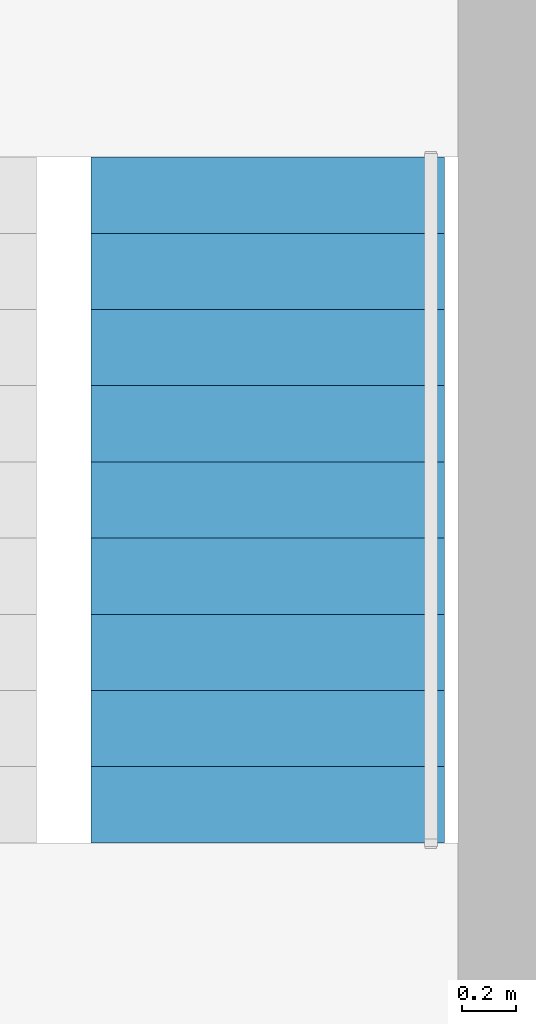
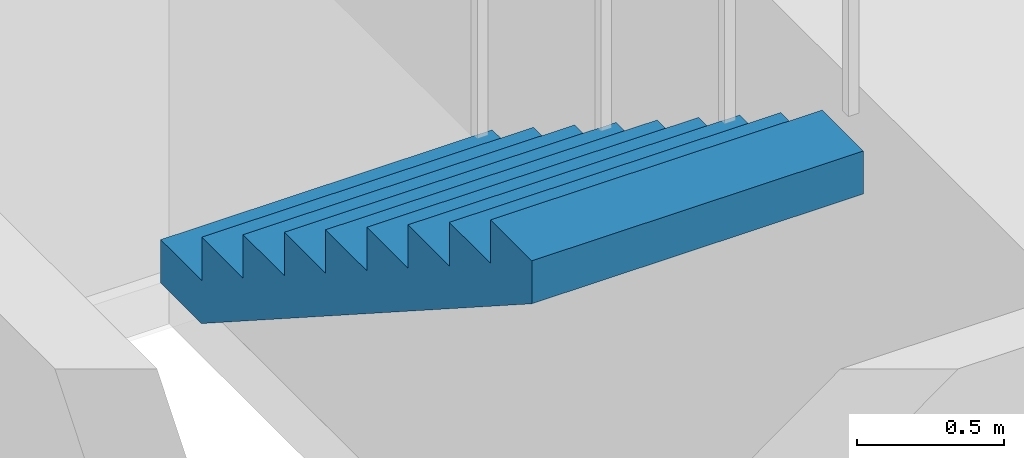
# One storey, part 14 of 15: 1 stair flight, 1 element without a shape of its own.
"""IFC4 building model written with IfcOpenShell, lengths in metres."""

import ifcopenshell
import ifcopenshell.guid

model = None  # the IFC model being written
_history = None  # IfcOwnerHistory: only IFC2X3 demands one
_inside = {}  # id of a spatial element -> (the spatial element, [elements in it])
_under = {}  # id of a project, library or spatial element -> (it, [spatial elements below it])
_declared = {}  # id of a project -> (the project, [libraries it declares])
_typed = {}  # id of a type object -> (the type object, [elements of that type])
_made_of = {}  # id of a material, layer set ... -> (it, [elements and type objects made of it])


def new_model(schema):
    """Start an empty IFC model of exactly this schema.

    Asked for "IFC4X3", IfcOpenShell would pick the latest addendum, in which some entities
    have other attributes; the version numbers below select the first issue.
    IFC2X3 requires an IfcOwnerHistory on every rooted entity: one is made here for all.
    """
    global model, _history
    if schema == "IFC4X3":
        model = ifcopenshell.file(schema_version=(4, 3, 0, 0))
    else:
        model = ifcopenshell.file(schema=schema)
    _inside.clear()
    _under.clear()
    _declared.clear()
    _typed.clear()
    _made_of.clear()
    _history = None
    if model.schema == "IFC2X3":
        org = make("IfcOrganization", Name="unknown")
        user = make(
            "IfcPersonAndOrganization",
            ThePerson=make("IfcPerson", FamilyName="unknown"),
            TheOrganization=org,
        )
        app = make(
            "IfcApplication",
            ApplicationDeveloper=org,
            Version="unknown",
            ApplicationFullName="unknown",
            ApplicationIdentifier="unknown",
        )
        _history = make(
            "IfcOwnerHistory",
            OwningUser=user,
            OwningApplication=app,
            ChangeAction="ADDED",
            CreationDate=0,
        )
    return model


def make(cls, **values):
    """One entity of the class cls with the attributes given. An attribute that is None is left unset."""
    return model.create_entity(
        cls, **{name: value for name, value in values.items() if value is not None}
    )


def rooted(cls, **values):
    """An entity with a GlobalId (a new one), such as an element, a storey or a relation."""
    return make(cls, GlobalId=ifcopenshell.guid.new(), OwnerHistory=_history, **values)


def si_unit(unit_type, name, prefix=None):
    """IfcSIUnit, for example si_unit("LENGTHUNIT", "METRE", prefix="MILLI")."""
    return make("IfcSIUnit", UnitType=unit_type, Prefix=prefix, Name=name)


def assignment(units):
    """IfcUnitAssignment: the units of a project."""
    return None if units is None else make("IfcUnitAssignment", Units=units)


def point(xyz):
    """IfcCartesianPoint."""
    return None if xyz is None else make("IfcCartesianPoint", Coordinates=xyz)


def direction(xyz):
    """IfcDirection."""
    return None if xyz is None else make("IfcDirection", DirectionRatios=xyz)


def frame(location, z_axis=None, x_axis=None):
    """IfcAxis2Placement3D, a coordinate frame: its origin and axes. An axis left out is left unset."""
    return make(
        "IfcAxis2Placement3D",
        Location=point(location),
        Axis=direction(z_axis),
        RefDirection=direction(x_axis),
    )


def origin():
    """The frame at (0, 0, 0) with its axes left unset."""
    return frame((0.0, 0.0, 0.0))


def place(relative_to, where):
    """IfcLocalPlacement: puts the frame where relative to a parent placement (None: the world)."""
    return make(
        "IfcLocalPlacement", PlacementRelTo=relative_to, RelativePlacement=where
    )


def context(
    kind, dimensions, precision=None, world=None, true_north=None, identifier=None
):
    """IfcGeometricRepresentationContext, for example the 3D "Model" context."""
    return make(
        "IfcGeometricRepresentationContext",
        ContextIdentifier=identifier,
        ContextType=kind,
        CoordinateSpaceDimension=dimensions,
        Precision=precision,
        WorldCoordinateSystem=world,
        TrueNorth=true_north,
    )


def subcontext(parent, identifier, kind, view, scale=None):
    """IfcGeometricRepresentationSubContext, for example "Body" below "Model"."""
    return make(
        "IfcGeometricRepresentationSubContext",
        ContextIdentifier=identifier,
        ContextType=kind,
        ParentContext=parent,
        TargetScale=scale,
        TargetView=view,
    )


def project(units=None, contexts=None):
    """IfcProject with its units and contexts."""
    return rooted(
        "IfcProject",
        Name="project",
        RepresentationContexts=contexts,
        UnitsInContext=assignment(units),
    )


def spatial(cls, under=None, at=None, **own):
    """A site, building, storey or space (cls), placed at a placement, below another one or the project."""
    s = rooted(cls, ObjectPlacement=at, **own)
    if under is not None:
        _under.setdefault(under.id(), (under, []))[1].append(s)
    return s


def polyline(points):
    """IfcPolyline through the points."""
    return make("IfcPolyline", Points=[point(p) for p in points])


def outline(outer, holes=None, kind="AREA"):
    """IfcArbitraryClosedProfileDef: a profile drawn as a closed curve; with holes, ...WithVoids."""
    if holes is None:
        return make("IfcArbitraryClosedProfileDef", ProfileType=kind, OuterCurve=outer)
    return make(
        "IfcArbitraryProfileDefWithVoids",
        ProfileType=kind,
        OuterCurve=outer,
        InnerCurves=holes,
    )


def extrude(swept, where, along, depth):
    """IfcExtrudedAreaSolid: the profile swept, set in the frame where, extruded along a direction by depth."""
    return make(
        "IfcExtrudedAreaSolid",
        SweptArea=swept,
        Position=where,
        ExtrudedDirection=direction(along),
        Depth=depth,
    )


def shape(context_of_items, identifier, shape_type, items):
    """IfcShapeRepresentation: the items that make up one representation, for example the "Body"."""
    return make(
        "IfcShapeRepresentation",
        ContextOfItems=context_of_items,
        RepresentationIdentifier=identifier,
        RepresentationType=shape_type,
        Items=items,
    )


def material(Name=None, Category=None):
    """IfcMaterial."""
    return make("IfcMaterial", Name=Name, Category=Category)


def made_of(thing, what):
    """Note that an element or type object is made of a material, layer set ...; save() writes the relation."""
    if what is not None:
        _made_of.setdefault(what.id(), (what, []))[1].append(thing)
    return thing


def type_object(cls, material=None, **own):
    """A type object (cls), such as IfcWallType, which elements share."""
    return made_of(rooted(cls, **own), material)


def element(
    cls,
    number,
    at=None,
    inside=None,
    cuts=None,
    type_object=None,
    material=None,
    context=None,
    identifier="Body",
    shape_type=None,
    held_by="IfcProductDefinitionShape",
    body=None,
    shapes=None,
    **own,
):
    """One element of the class cls, such as IfcWall. Its Tag is "e" and its number.

    at: its placement. inside: the storey or other place that contains it. cuts: it is an
    opening in that element (IfcRelVoidsElement). A single representation is given by context,
    identifier, shape_type and body (its items); several are given by shapes. held_by: the class
    of the entity that holds the representations. save() writes the other relations.
    """
    e = rooted(cls, Tag="e%d" % number, ObjectPlacement=at, **own)
    if body is not None:
        shapes = [shape(context, identifier, shape_type, body)]
    if shapes is not None:
        e.Representation = make(held_by, Representations=shapes)
    if inside is not None:
        _inside.setdefault(inside.id(), (inside, []))[1].append(e)
    if cuts is not None:
        rooted(
            "IfcRelVoidsElement", RelatingBuildingElement=cuts, RelatedOpeningElement=e
        )
    if type_object is not None:
        _typed.setdefault(type_object.id(), (type_object, []))[1].append(e)
    return made_of(e, material)


def aggregate(whole, parts):
    """IfcRelAggregates: a whole, such as a stair, and the parts it consists of."""
    return rooted("IfcRelAggregates", RelatingObject=whole, RelatedObjects=parts)


def save(model, path):
    """Write the relations noted so far, then the file.

    IfcRelAggregates (storeys below a building ...), IfcRelContainedInSpatialStructure (elements
    in a storey), IfcRelDefinesByType, IfcRelAssociatesMaterial and IfcRelDeclares: one each for
    every whole, place, type object, material and project.
    """
    for whole, parts in _under.values():
        aggregate(whole, parts)
    for where, things in _inside.values():
        rooted(
            "IfcRelContainedInSpatialStructure",
            RelatedElements=things,
            RelatingStructure=where,
        )
    for kind, things in _typed.values():
        rooted("IfcRelDefinesByType", RelatedObjects=things, RelatingType=kind)
    for what, things in _made_of.values():
        rooted("IfcRelAssociatesMaterial", RelatedObjects=things, RelatingMaterial=what)
    for by, libraries in _declared.values():
        rooted("IfcRelDeclares", RelatingContext=by, RelatedDefinitions=libraries)
    model.write(path)


model = new_model("IFC4")

# Units and contexts
model_context = context("Model", 3, precision=1e-05, world=origin(), true_north=direction((0.0, 1.0)))
body_context = subcontext(model_context, "Body", "Model", "MODEL_VIEW")
ifc_project = project(units=[si_unit("LENGTHUNIT", "METRE"), si_unit("AREAUNIT", "SQUARE_METRE"), si_unit("VOLUMEUNIT", "CUBIC_METRE"), si_unit("PLANEANGLEUNIT", "RADIAN"), si_unit("MASSUNIT", "GRAM", prefix="KILO")], contexts=[model_context])

# Site, building, storey
site_placement = place(None, origin())
site = spatial("IfcSite", under=ifc_project, at=site_placement, CompositionType="ELEMENT")
building_placement = place(site_placement, origin())
building = spatial("IfcBuilding", under=site, at=building_placement, Name="Nyansa Garden Tower", CompositionType="ELEMENT")
storey_placement = place(building_placement, frame((0.0, 0.0, 72.0)))
storey = spatial("IfcBuildingStorey", under=building, at=storey_placement, Name="L19", CompositionType="ELEMENT", Elevation=72.0)

# Stair, stair flight
ifc_material_1 = material(Name="Precast concrete C40/50", Category="concrete")
stair_type = type_object("IfcStairType", Name="Stair S2 180x280", PredefinedType="HALF_TURN_STAIR", material=ifc_material_1)
stair_placement = place(storey_placement, origin())
stair = element("IfcStair", 1, at=stair_placement, inside=storey, type_object=stair_type, Name="Stair S2 L19", PredefinedType="HALF_TURN_STAIR")
ifc_material_2 = material(Name="Precast concrete C40/50", Category="concrete")
stair_flight_type = type_object("IfcStairFlightType", Name="Stair flight S2 180x280x10", PredefinedType="STRAIGHT", material=ifc_material_2)
stair_flight_placement = place(storey_placement, frame((25.699951171875, 24.1201171875, 1.800048828125), z_axis=(0.0, 0.0, 1.0), x_axis=(0.0, -1.0, 0.0)))
stair_flight = element("IfcStairFlight", 2, at=stair_flight_placement, type_object=stair_flight_type, Name="S2 flight 2", NumberOfRisers=10, NumberOfTreads=9, PredefinedType="STRAIGHT", RiserHeight=0.18, TreadLength=0.28, context=body_context, shape_type="SweptSolid", body=[
    extrude(outline(polyline([(0.0, 0.0), (0.0, 0.179931640625), (0.280029296875, 0.179931640625), (0.280029296875, 0.360107421875), (0.56005859375, 0.360107421875), (0.56005859375, 0.5400390625), (0.840087890625, 0.5400390625), (0.840087890625, 0.719970703125), (1.1201171875, 0.719970703125), (1.1201171875, 0.89990234375), (1.39990234375, 0.89990234375), (1.39990234375, 1.080078125), (1.679931640625, 1.080078125), (1.679931640625, 1.260009765625), (1.9599609375, 1.260009765625), (1.9599609375, 1.43994140625), (2.239990234375, 1.43994140625), (2.239990234375, 1.6201171875), (2.52001953125, 1.6201171875), (2.52001953125, 1.800048828125), (2.52001953125, 1.44189453125), (0.277099609375, 0.0), (0.0, 0.0)])), frame((0.0, 0.64990234375, 0.0), z_axis=(0.0, -1.0, 0.0), x_axis=(1.0, 0.0, 0.0)), (0.0, 0.0, 1.0), 1.300048828125),
])
aggregate(stair, [stair_flight])

save(model, "model.ifc")
